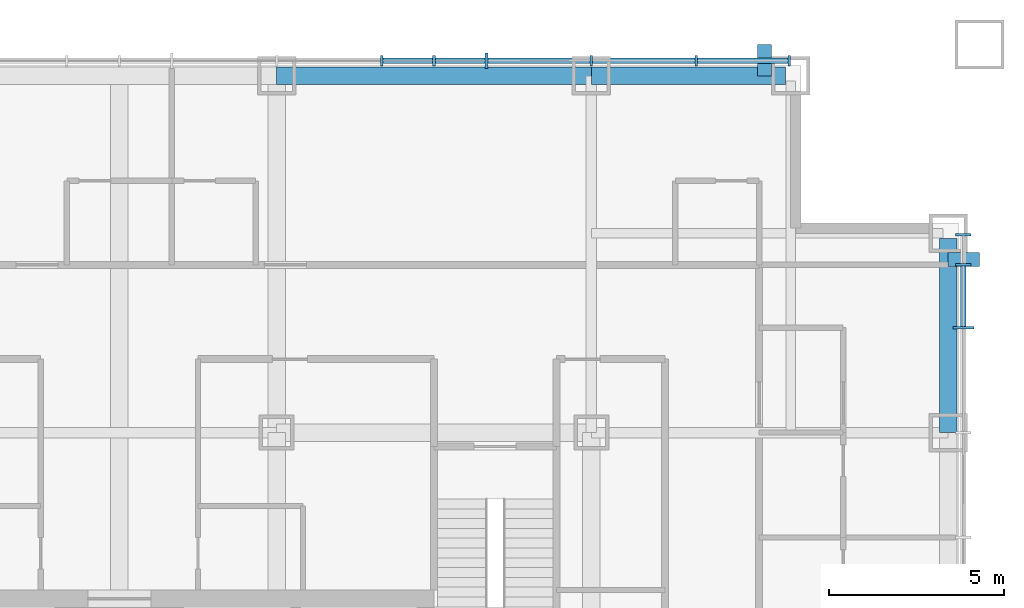
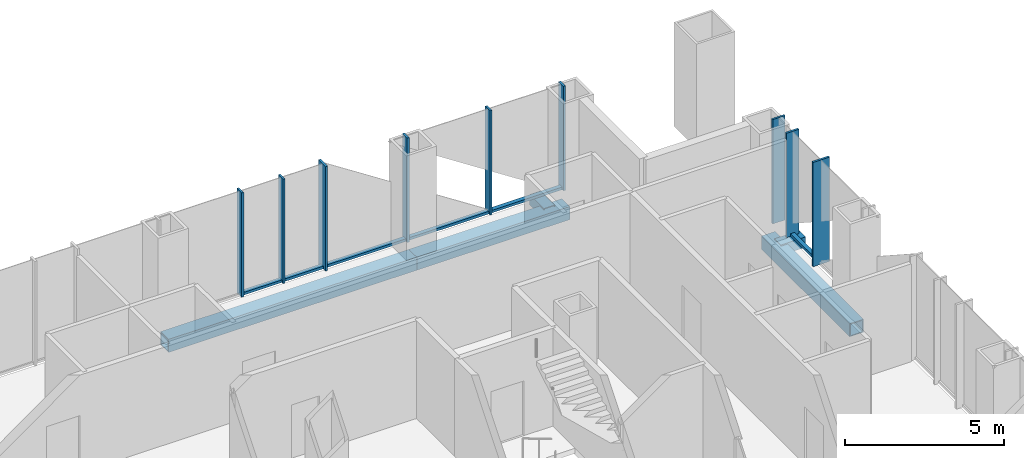
# One storey, part 6 of 16: 17 members, 3 beams, 2 elements without a shape of their own.
"""IFC4 building model written with IfcOpenShell, lengths in metres."""

from ifc_helpers import new_model, si_unit, direction, frame, origin, origin_2d, place, context, subcontext, project, spatial, rectangle, hollow_rectangle, extrude, material, layer, layer_set, material_profile, profile_set, type_object, element, aggregate, save


model = new_model("IFC4")

# Units and contexts
model_context = context("Model", 3, precision=1e-05, world=origin(), true_north=direction((0.0, 1.0)))
body_context = subcontext(model_context, "Body", "Model", "MODEL_VIEW")
ifc_project = project(units=[si_unit("LENGTHUNIT", "METRE"), si_unit("AREAUNIT", "SQUARE_METRE"), si_unit("VOLUMEUNIT", "CUBIC_METRE"), si_unit("PLANEANGLEUNIT", "RADIAN"), si_unit("MASSUNIT", "GRAM", prefix="KILO")], contexts=[model_context])

# Site, building, storey
site_placement = place(None, origin())
site = spatial("IfcSite", under=ifc_project, at=site_placement, CompositionType="ELEMENT")
building_placement = place(site_placement, origin())
building = spatial("IfcBuilding", under=site, at=building_placement, Name="Malebo Sky Hospital", CompositionType="ELEMENT")
storey_placement = place(building_placement, frame((0.0, 0.0, 144.0)))
storey = spatial("IfcBuildingStorey", under=building, at=storey_placement, Name="L34", CompositionType="ELEMENT", Elevation=144.0)

# Curtain wall, members
ifc_material_1 = material(Name="Anodised aluminium, natural silver", Category="aluminium")
ifc_layer_1 = layer(ifc_material_1, 0.25)
ifc_layer_set_1 = layer_set([ifc_layer_1], Name="WARD CURTAIN WALL NORTH AND SOUTH")
curtain_wall_type_1 = type_object("IfcCurtainWallType", Name="WARD CURTAIN WALL NORTH AND SOUTH", PredefinedType="NOTDEFINED", material=ifc_layer_set_1)
curtain_wall_1_placement = place(storey_placement, origin())
curtain_wall_1 = element("IfcCurtainWall", 1, at=curtain_wall_1_placement, inside=storey, type_object=curtain_wall_type_1, Name="NS curtain wall N", PredefinedType="NOTDEFINED")
ifc_material_profile_1 = material_profile(ifc_material_1, rectangle(XDim=0.14990234375, YDim=0.10009765625, at=origin_2d()), Name="ALUMINIUM TRANSOM 150x100")
ifc_profile_set_1 = profile_set([ifc_material_profile_1], Name="Anodised aluminium, natural silver")
member_type_1 = type_object("IfcMemberType", Name="ALUMINIUM TRANSOM 150x100", PredefinedType="USERDEFINED", material=ifc_profile_set_1)
member_1_placement = place(storey_placement, frame((67.53759765625, 86.135009765625, 0.050048828125), z_axis=(1.0, 0.0, 0.0), x_axis=(0.0, 1.0, 0.0)))
member_1 = element("IfcMember", 2, at=member_1_placement, type_object=member_type_1, Name="Transom 13", ObjectType="TRANSOM", PredefinedType="USERDEFINED", context=body_context, shape_type="SweptSolid", body=[
    extrude(rectangle(XDim=0.14990234375, YDim=0.10009765625, at=origin_2d()), origin(), (0.0, 0.0, 1.0), 1.4248046875),
])
member_2_placement = place(storey_placement, frame((69.03759765625, 86.135009765625, 0.050048828125), z_axis=(1.0, 0.0, 0.0), x_axis=(0.0, 1.0, 0.0)))
member_2 = element("IfcMember", 3, at=member_2_placement, type_object=member_type_1, Name="Transom 14", ObjectType="TRANSOM", PredefinedType="USERDEFINED", context=body_context, shape_type="SweptSolid", body=[
    extrude(rectangle(XDim=0.14990234375, YDim=0.10009765625, at=origin_2d()), origin(), (0.0, 0.0, 1.0), 1.4248046875),
])
member_3_placement = place(storey_placement, frame((70.53759765625, 86.135009765625, 0.050048828125), z_axis=(1.0, 0.0, 0.0), x_axis=(0.0, 1.0, 0.0)))
member_3 = element("IfcMember", 4, at=member_3_placement, type_object=member_type_1, Name="Transom 15", ObjectType="TRANSOM", PredefinedType="USERDEFINED", context=body_context, shape_type="SweptSolid", body=[
    extrude(rectangle(XDim=0.14990234375, YDim=0.10009765625, at=origin_2d()), origin(), (0.0, 0.0, 1.0), 2.9248046875),
])
member_4_placement = place(storey_placement, frame((73.53759765625, 86.135009765625, 0.050048828125), z_axis=(1.0, 0.0, 0.0), x_axis=(0.0, 1.0, 0.0)))
member_4 = element("IfcMember", 5, at=member_4_placement, type_object=member_type_1, Name="Transom 16", ObjectType="TRANSOM", PredefinedType="USERDEFINED", context=body_context, shape_type="SweptSolid", body=[
    extrude(rectangle(XDim=0.14990234375, YDim=0.10009765625, at=origin_2d()), origin(), (0.0, 0.0, 1.0), 2.9248046875),
])
member_5_placement = place(storey_placement, frame((76.53759765625, 86.135009765625, 0.050048828125), z_axis=(1.0, 0.0, 0.0), x_axis=(0.0, 1.0, 0.0)))
member_5 = element("IfcMember", 6, at=member_5_placement, type_object=member_type_1, Name="Transom 17", ObjectType="TRANSOM", PredefinedType="USERDEFINED", context=body_context, shape_type="SweptSolid", body=[
    extrude(rectangle(XDim=0.14990234375, YDim=0.10009765625, at=origin_2d()), origin(), (0.0, 0.0, 1.0), 2.58740234375),
])

# Curtain wall, member
ifc_layer_2 = layer(ifc_material_1, 0.25)
ifc_layer_set_2 = layer_set([ifc_layer_2], Name="WARD CURTAIN WALL EAST AND WEST")
curtain_wall_type_2 = type_object("IfcCurtainWallType", Name="WARD CURTAIN WALL EAST AND WEST", PredefinedType="NOTDEFINED", material=ifc_layer_set_2)
curtain_wall_2_placement = place(storey_placement, origin())
curtain_wall_2 = element("IfcCurtainWall", 7, at=curtain_wall_2_placement, inside=storey, type_object=curtain_wall_type_2, Name="EW curtain wall E", PredefinedType="NOTDEFINED")
member_6_placement = place(storey_placement, frame((84.135009765625, 80.262451171875, 0.050048828125), z_axis=(0.0, -1.0, 0.0), x_axis=(1.0, 0.0, 0.0)))
member_6 = element("IfcMember", 8, at=member_6_placement, type_object=member_type_1, Name="Transom 2", ObjectType="TRANSOM", PredefinedType="USERDEFINED", context=body_context, shape_type="SweptSolid", body=[
    extrude(rectangle(XDim=0.14990234375, YDim=0.10009765625, at=origin_2d()), origin(), (0.0, 0.0, 1.0), 1.724853515625),
])

# Members
ifc_material_2 = material(Name="Steel S355", Category="steel")
ifc_material_profile_2 = material_profile(ifc_material_2, hollow_rectangle(XDim=0.39990234375, YDim=0.39990234375, WallThickness=0.02001953125, at=origin_2d()), Name="SHS 400x20")
ifc_profile_set_2 = profile_set([ifc_material_profile_2], Name="Steel S355")
member_type_2 = type_object("IfcMemberType", Name="BRACE STRUT SHS 400x20", PredefinedType="STRUT", material=ifc_profile_set_2)
for number, where, z_axis, x_axis, name in (
    (9, (78.449951171875, 86.60009765625, -0.39990234375), (0.0, -1.0, 0.0), (1.0, 0.0, 0.0), "Brace strut BN1 L34"),
    (10, (84.60009765625, 80.449951171875, -0.39990234375), (-1.0, 0.0, 0.0), (0.0, -1.0, 0.0), "Brace strut BE2 L34"),
):
    element("IfcMember", number, at=place(storey_placement, frame(where, z_axis=z_axis, x_axis=x_axis)), inside=storey, type_object=member_type_2, Name=name, PredefinedType="STRUT", context=body_context, shape_type="SweptSolid", body=[
        extrude(hollow_rectangle(XDim=0.39990234375, YDim=0.39990234375, WallThickness=0.02001953125, at=origin_2d()), origin(), (0.0, 0.0, 1.0), 0.900146484375),
    ])

# Member
ifc_material_profile_3 = material_profile(ifc_material_1, rectangle(XDim=0.074951171875, YDim=0.300048828125, at=origin_2d()), Name="CW1 ALUMINIUM FIN MULLION 75x300")
ifc_profile_set_3 = profile_set([ifc_material_profile_3], Name="Anodised aluminium, natural silver")
member_type_3 = type_object("IfcMemberType", Name="CW1 ALUMINIUM FIN MULLION 75x300", PredefinedType="MULLION", material=ifc_profile_set_3)
member_7_placement = place(storey_placement, frame((67.5, 86.135009765625, 0.0), z_axis=(0.0, 0.0, 1.0), x_axis=(1.0, 0.0, 0.0)))
member_7 = element("IfcMember", 11, at=member_7_placement, type_object=member_type_3, Name="Fin mullion 13", PredefinedType="MULLION", context=body_context, shape_type="SweptSolid", body=[
    extrude(rectangle(XDim=0.074951171875, YDim=0.300048828125, at=origin_2d()), origin(), (0.0, 0.0, 1.0), 4.0),
])

member_8_placement = place(storey_placement, frame((69.0, 86.135009765625, 0.0), z_axis=(0.0, 0.0, 1.0), x_axis=(1.0, 0.0, 0.0)))
member_8 = element("IfcMember", 12, at=member_8_placement, type_object=member_type_3, Name="Fin mullion 14", PredefinedType="MULLION", context=body_context, shape_type="SweptSolid", body=[
    extrude(rectangle(XDim=0.074951171875, YDim=0.300048828125, at=origin_2d()), origin(), (0.0, 0.0, 1.0), 4.0),
])

member_9_placement = place(storey_placement, frame((73.5, 86.135009765625, 0.0), z_axis=(0.0, 0.0, 1.0), x_axis=(1.0, 0.0, 0.0)))
member_9 = element("IfcMember", 13, at=member_9_placement, type_object=member_type_3, Name="Fin mullion 16", PredefinedType="MULLION", context=body_context, shape_type="SweptSolid", body=[
    extrude(rectangle(XDim=0.074951171875, YDim=0.300048828125, at=origin_2d()), origin(), (0.0, 0.0, 1.0), 4.0),
])

member_10_placement = place(storey_placement, frame((76.5, 86.135009765625, 0.0), z_axis=(0.0, 0.0, 1.0), x_axis=(1.0, 0.0, 0.0)))
member_10 = element("IfcMember", 14, at=member_10_placement, type_object=member_type_3, Name="Fin mullion 17", PredefinedType="MULLION", context=body_context, shape_type="SweptSolid", body=[
    extrude(rectangle(XDim=0.074951171875, YDim=0.300048828125, at=origin_2d()), origin(), (0.0, 0.0, 1.0), 4.0),
])

member_11_placement = place(storey_placement, frame((79.16259765625, 86.135009765625, 0.0), z_axis=(0.0, 0.0, 1.0), x_axis=(1.0, 0.0, 0.0)))
member_11 = element("IfcMember", 15, at=member_11_placement, type_object=member_type_3, Name="Fin mullion 18", PredefinedType="MULLION", context=body_context, shape_type="SweptSolid", body=[
    extrude(rectangle(XDim=0.074951171875, YDim=0.300048828125, at=origin_2d()), origin(), (0.0, 0.0, 1.0), 4.0),
])

ifc_material_profile_4 = material_profile(ifc_material_1, rectangle(XDim=0.074951171875, YDim=0.449951171875, at=origin_2d()), Name="CW1 ALUMINIUM FIN MULLION 75x450")
ifc_profile_set_4 = profile_set([ifc_material_profile_4], Name="Anodised aluminium, natural silver")
member_type_4 = type_object("IfcMemberType", Name="CW1 ALUMINIUM FIN MULLION 75x450", PredefinedType="MULLION", material=ifc_profile_set_4)
member_12_placement = place(storey_placement, frame((70.5, 86.135009765625, 0.0), z_axis=(0.0, 0.0, 1.0), x_axis=(1.0, 0.0, 0.0)))
member_12 = element("IfcMember", 16, at=member_12_placement, type_object=member_type_4, Name="Fin mullion 15", PredefinedType="MULLION", context=body_context, shape_type="SweptSolid", body=[
    extrude(rectangle(XDim=0.074951171875, YDim=0.449951171875, at=origin_2d()), origin(), (0.0, 0.0, 1.0), 4.0),
])

aggregate(curtain_wall_1, [member_7, member_8, member_12, member_9, member_10, member_11, member_1, member_2, member_3, member_4, member_5])

ifc_material_profile_5 = material_profile(ifc_material_1, rectangle(XDim=0.074951171875, YDim=0.449951171875, at=origin_2d()), Name="CW2 ALUMINIUM FIN MULLION 75x450")
ifc_profile_set_5 = profile_set([ifc_material_profile_5], Name="Anodised aluminium, natural silver")
member_type_5 = type_object("IfcMemberType", Name="CW2 ALUMINIUM FIN MULLION 75x450", PredefinedType="MULLION", material=ifc_profile_set_5)
member_13_placement = place(storey_placement, frame((84.135009765625, 81.16259765625, 0.0), z_axis=(0.0, 0.0, 1.0), x_axis=(0.0, -1.0, 0.0)))
member_13 = element("IfcMember", 17, at=member_13_placement, type_object=member_type_5, Name="Fin mullion 1", PredefinedType="MULLION", context=body_context, shape_type="SweptSolid", body=[
    extrude(rectangle(XDim=0.074951171875, YDim=0.449951171875, at=origin_2d()), origin(), (0.0, 0.0, 1.0), 4.0),
])

member_14_placement = place(storey_placement, frame((84.135009765625, 80.300048828125, 0.0), z_axis=(0.0, 0.0, 1.0), x_axis=(0.0, -1.0, 0.0)))
member_14 = element("IfcMember", 18, at=member_14_placement, type_object=member_type_5, Name="Fin mullion 2", PredefinedType="MULLION", context=body_context, shape_type="SweptSolid", body=[
    extrude(rectangle(XDim=0.074951171875, YDim=0.449951171875, at=origin_2d()), origin(), (0.0, 0.0, 1.0), 4.0),
])

ifc_material_profile_6 = material_profile(ifc_material_1, rectangle(XDim=0.074951171875, YDim=0.60009765625, at=origin_2d()), Name="CW2 ALUMINIUM FIN MULLION 75x600")
ifc_profile_set_6 = profile_set([ifc_material_profile_6], Name="Anodised aluminium, natural silver")
member_type_6 = type_object("IfcMemberType", Name="CW2 ALUMINIUM FIN MULLION 75x600", PredefinedType="MULLION", material=ifc_profile_set_6)
member_15_placement = place(storey_placement, frame((84.135009765625, 78.5, 0.0), z_axis=(0.0, 0.0, 1.0), x_axis=(0.0, -1.0, 0.0)))
member_15 = element("IfcMember", 19, at=member_15_placement, type_object=member_type_6, Name="Fin mullion 3", PredefinedType="MULLION", context=body_context, shape_type="SweptSolid", body=[
    extrude(rectangle(XDim=0.074951171875, YDim=0.60009765625, at=origin_2d()), origin(), (0.0, 0.0, 1.0), 4.0),
])

aggregate(curtain_wall_2, [member_13, member_14, member_15, member_6])

# Beams
ifc_material_3 = material(Name="Steel S460", Category="steel")
ifc_material_profile_7 = material_profile(ifc_material_3, hollow_rectangle(XDim=0.5, YDim=0.5, WallThickness=0.030029296875, at=origin_2d()), Name="BOX 500x500x30")
ifc_profile_set_7 = profile_set([ifc_material_profile_7], Name="Steel S460")
beam_type = type_object("IfcBeamType", Name="EDGE BEAM BOX 500x500x30", PredefinedType="BEAM", material=ifc_profile_set_7)
beam_1_placement = place(storey_placement, frame((83.699951171875, 75.5, -0.5), z_axis=(0.0, 1.0, 0.0), x_axis=(-1.0, 0.0, 0.0)))
element("IfcBeam", 20, at=beam_1_placement, inside=storey, type_object=beam_type, Name="Beam 033 L34", PredefinedType="BEAM", context=body_context, shape_type="SweptSolid", body=[
    extrude(hollow_rectangle(XDim=0.5, YDim=0.5, WallThickness=0.030029296875, at=origin_2d()), origin(), (0.0, 0.0, 1.0), 5.550048828125),
])
beam_2_placement = place(storey_placement, frame((64.5, 85.699951171875, -0.5), z_axis=(1.0, 0.0, 0.0), x_axis=(0.0, 1.0, 0.0)))
element("IfcBeam", 21, at=beam_2_placement, inside=storey, type_object=beam_type, Name="Beam 066 L34", PredefinedType="BEAM", context=body_context, shape_type="SweptSolid", body=[
    extrude(hollow_rectangle(XDim=0.5, YDim=0.5, WallThickness=0.030029296875, at=origin_2d()), origin(), (0.0, 0.0, 1.0), 9.0),
])
beam_3_placement = place(storey_placement, frame((73.5, 85.699951171875, -0.5), z_axis=(1.0, 0.0, 0.0), x_axis=(0.0, 1.0, 0.0)))
element("IfcBeam", 22, at=beam_3_placement, inside=storey, type_object=beam_type, Name="Beam 067 L34", PredefinedType="BEAM", context=body_context, shape_type="SweptSolid", body=[
    extrude(hollow_rectangle(XDim=0.5, YDim=0.5, WallThickness=0.030029296875, at=origin_2d()), origin(), (0.0, 0.0, 1.0), 5.550048828125),
])

save(model, "model.ifc")
